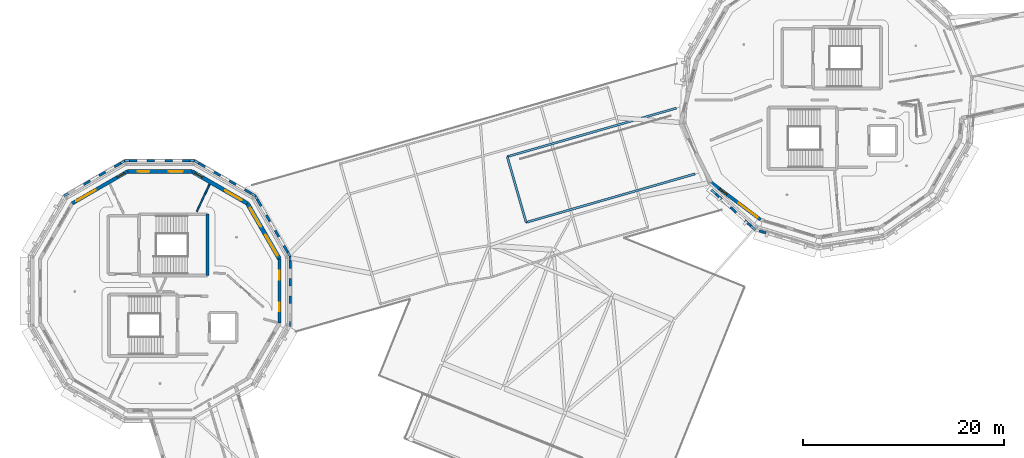
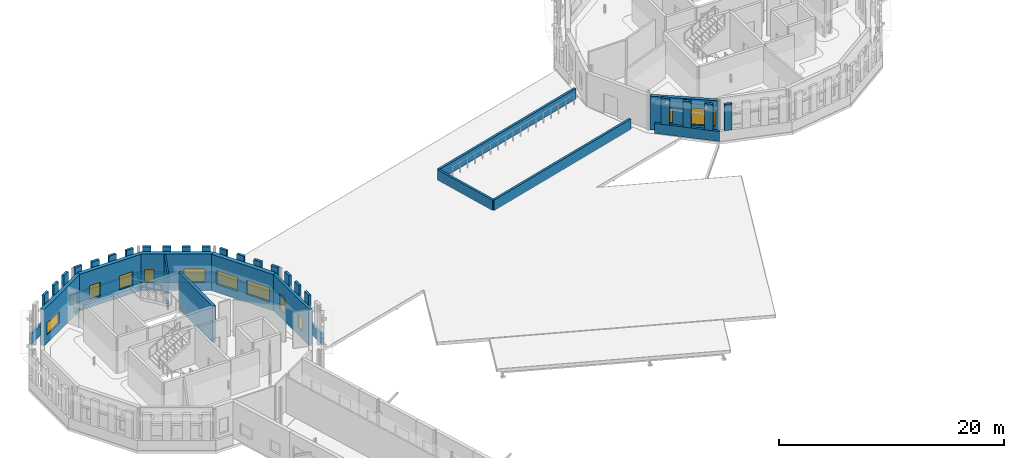
# One storey, part 58 of 90: 39 walls, 12 windows, 12 openings.
"""IFC4 building model written with IfcOpenShell, lengths in metres."""

import ifcopenshell
import ifcopenshell.guid

model = None  # the IFC model being written
_history = None  # IfcOwnerHistory: only IFC2X3 demands one
_inside = {}  # id of a spatial element -> (the spatial element, [elements in it])
_under = {}  # id of a project, library or spatial element -> (it, [spatial elements below it])
_declared = {}  # id of a project -> (the project, [libraries it declares])
_typed = {}  # id of a type object -> (the type object, [elements of that type])
_made_of = {}  # id of a material, layer set ... -> (it, [elements and type objects made of it])


def new_model(schema):
    """Start an empty IFC model of exactly this schema.

    Asked for "IFC4X3", IfcOpenShell would pick the latest addendum, in which some entities
    have other attributes; the version numbers below select the first issue.
    IFC2X3 requires an IfcOwnerHistory on every rooted entity: one is made here for all.
    """
    global model, _history
    if schema == "IFC4X3":
        model = ifcopenshell.file(schema_version=(4, 3, 0, 0))
    else:
        model = ifcopenshell.file(schema=schema)
    _inside.clear()
    _under.clear()
    _declared.clear()
    _typed.clear()
    _made_of.clear()
    _history = None
    if model.schema == "IFC2X3":
        org = make("IfcOrganization", Name="unknown")
        user = make(
            "IfcPersonAndOrganization",
            ThePerson=make("IfcPerson", FamilyName="unknown"),
            TheOrganization=org,
        )
        app = make(
            "IfcApplication",
            ApplicationDeveloper=org,
            Version="unknown",
            ApplicationFullName="unknown",
            ApplicationIdentifier="unknown",
        )
        _history = make(
            "IfcOwnerHistory",
            OwningUser=user,
            OwningApplication=app,
            ChangeAction="ADDED",
            CreationDate=0,
        )
    return model


def make(cls, **values):
    """One entity of the class cls with the attributes given. An attribute that is None is left unset."""
    return model.create_entity(
        cls, **{name: value for name, value in values.items() if value is not None}
    )


def rooted(cls, **values):
    """An entity with a GlobalId (a new one), such as an element, a storey or a relation."""
    return make(cls, GlobalId=ifcopenshell.guid.new(), OwnerHistory=_history, **values)


def si_unit(unit_type, name, prefix=None):
    """IfcSIUnit, for example si_unit("LENGTHUNIT", "METRE", prefix="MILLI")."""
    return make("IfcSIUnit", UnitType=unit_type, Prefix=prefix, Name=name)


def assignment(units):
    """IfcUnitAssignment: the units of a project."""
    return None if units is None else make("IfcUnitAssignment", Units=units)


def point(xyz):
    """IfcCartesianPoint."""
    return None if xyz is None else make("IfcCartesianPoint", Coordinates=xyz)


def direction(xyz):
    """IfcDirection."""
    return None if xyz is None else make("IfcDirection", DirectionRatios=xyz)


def frame(location, z_axis=None, x_axis=None):
    """IfcAxis2Placement3D, a coordinate frame: its origin and axes. An axis left out is left unset."""
    return make(
        "IfcAxis2Placement3D",
        Location=point(location),
        Axis=direction(z_axis),
        RefDirection=direction(x_axis),
    )


def frame_2d(location, x_axis=None):
    """IfcAxis2Placement2D, a coordinate frame in the plane: its origin and x axis."""
    return make(
        "IfcAxis2Placement2D", Location=point(location), RefDirection=direction(x_axis)
    )


def origin():
    """The frame at (0, 0, 0) with its axes left unset."""
    return frame((0.0, 0.0, 0.0))


def place(relative_to, where):
    """IfcLocalPlacement: puts the frame where relative to a parent placement (None: the world)."""
    return make(
        "IfcLocalPlacement", PlacementRelTo=relative_to, RelativePlacement=where
    )


def context(
    kind, dimensions, precision=None, world=None, true_north=None, identifier=None
):
    """IfcGeometricRepresentationContext, for example the 3D "Model" context."""
    return make(
        "IfcGeometricRepresentationContext",
        ContextIdentifier=identifier,
        ContextType=kind,
        CoordinateSpaceDimension=dimensions,
        Precision=precision,
        WorldCoordinateSystem=world,
        TrueNorth=true_north,
    )


def subcontext(parent, identifier, kind, view, scale=None):
    """IfcGeometricRepresentationSubContext, for example "Body" below "Model"."""
    return make(
        "IfcGeometricRepresentationSubContext",
        ContextIdentifier=identifier,
        ContextType=kind,
        ParentContext=parent,
        TargetScale=scale,
        TargetView=view,
    )


def project(units=None, contexts=None):
    """IfcProject with its units and contexts."""
    return rooted(
        "IfcProject",
        Name="project",
        RepresentationContexts=contexts,
        UnitsInContext=assignment(units),
    )


def spatial(cls, under=None, at=None, **own):
    """A site, building, storey or space (cls), placed at a placement, below another one or the project."""
    s = rooted(cls, ObjectPlacement=at, **own)
    if under is not None:
        _under.setdefault(under.id(), (under, []))[1].append(s)
    return s


def profile(cls, at=None, kind="AREA", **sizes):
    """A parametric profile (cls). Its sizes go by their IFC names, for example OverallWidth=200.0."""
    return make(cls, ProfileType=kind, Position=at, **sizes)


def rectangle(**sizes):
    """IfcRectangleProfileDef."""
    return profile("IfcRectangleProfileDef", **sizes)


def extrude(swept, where, along, depth):
    """IfcExtrudedAreaSolid: the profile swept, set in the frame where, extruded along a direction by depth."""
    return make(
        "IfcExtrudedAreaSolid",
        SweptArea=swept,
        Position=where,
        ExtrudedDirection=direction(along),
        Depth=depth,
    )


def shape(context_of_items, identifier, shape_type, items):
    """IfcShapeRepresentation: the items that make up one representation, for example the "Body"."""
    return make(
        "IfcShapeRepresentation",
        ContextOfItems=context_of_items,
        RepresentationIdentifier=identifier,
        RepresentationType=shape_type,
        Items=items,
    )


def material(Name=None, Category=None):
    """IfcMaterial."""
    return make("IfcMaterial", Name=Name, Category=Category)


def layer(
    of_material, thickness, ventilated=None, Name=None, Category=None, Priority=None
):
    """IfcMaterialLayer: one layer of a wall or slab, of a material (None: an air gap)."""
    return make(
        "IfcMaterialLayer",
        Material=of_material,
        LayerThickness=thickness,
        IsVentilated=ventilated,
        Name=Name,
        Category=Category,
        Priority=Priority,
    )


def layer_set(layers, Name=None):
    """IfcMaterialLayerSet."""
    return make("IfcMaterialLayerSet", MaterialLayers=layers, LayerSetName=Name)


def made_of(thing, what):
    """Note that an element or type object is made of a material, layer set ...; save() writes the relation."""
    if what is not None:
        _made_of.setdefault(what.id(), (what, []))[1].append(thing)
    return thing


def type_object(cls, material=None, **own):
    """A type object (cls), such as IfcWallType, which elements share."""
    return made_of(rooted(cls, **own), material)


def element(
    cls,
    number,
    at=None,
    inside=None,
    cuts=None,
    type_object=None,
    material=None,
    context=None,
    identifier="Body",
    shape_type=None,
    held_by="IfcProductDefinitionShape",
    body=None,
    shapes=None,
    **own,
):
    """One element of the class cls, such as IfcWall. Its Tag is "e" and its number.

    at: its placement. inside: the storey or other place that contains it. cuts: it is an
    opening in that element (IfcRelVoidsElement). A single representation is given by context,
    identifier, shape_type and body (its items); several are given by shapes. held_by: the class
    of the entity that holds the representations. save() writes the other relations.
    """
    e = rooted(cls, Tag="e%d" % number, ObjectPlacement=at, **own)
    if body is not None:
        shapes = [shape(context, identifier, shape_type, body)]
    if shapes is not None:
        e.Representation = make(held_by, Representations=shapes)
    if inside is not None:
        _inside.setdefault(inside.id(), (inside, []))[1].append(e)
    if cuts is not None:
        rooted(
            "IfcRelVoidsElement", RelatingBuildingElement=cuts, RelatedOpeningElement=e
        )
    if type_object is not None:
        _typed.setdefault(type_object.id(), (type_object, []))[1].append(e)
    return made_of(e, material)


def fill(opening, filler):
    """IfcRelFillsElement: the door or window that sits in an opening."""
    return rooted(
        "IfcRelFillsElement",
        RelatingOpeningElement=opening,
        RelatedBuildingElement=filler,
    )


def aggregate(whole, parts):
    """IfcRelAggregates: a whole, such as a stair, and the parts it consists of."""
    return rooted("IfcRelAggregates", RelatingObject=whole, RelatedObjects=parts)


def save(model, path):
    """Write the relations noted so far, then the file.

    IfcRelAggregates (storeys below a building ...), IfcRelContainedInSpatialStructure (elements
    in a storey), IfcRelDefinesByType, IfcRelAssociatesMaterial and IfcRelDeclares: one each for
    every whole, place, type object, material and project.
    """
    for whole, parts in _under.values():
        aggregate(whole, parts)
    for where, things in _inside.values():
        rooted(
            "IfcRelContainedInSpatialStructure",
            RelatedElements=things,
            RelatingStructure=where,
        )
    for kind, things in _typed.values():
        rooted("IfcRelDefinesByType", RelatedObjects=things, RelatingType=kind)
    for what, things in _made_of.values():
        rooted("IfcRelAssociatesMaterial", RelatedObjects=things, RelatingMaterial=what)
    for by, libraries in _declared.values():
        rooted("IfcRelDeclares", RelatingContext=by, RelatedDefinitions=libraries)
    model.write(path)


model = new_model("IFC4")

# Units and contexts
model_context = context("Model", 3, precision=1e-05, world=origin(), true_north=direction((0.0, 1.0)))
body_context = subcontext(model_context, "Body", "Model", "MODEL_VIEW")
ifc_project = project(units=[si_unit("LENGTHUNIT", "METRE"), si_unit("AREAUNIT", "SQUARE_METRE"), si_unit("VOLUMEUNIT", "CUBIC_METRE"), si_unit("PLANEANGLEUNIT", "RADIAN"), si_unit("MASSUNIT", "GRAM", prefix="KILO")], contexts=[model_context])

# Site, building, storey
site_placement = place(None, origin())
site = spatial("IfcSite", under=ifc_project, at=site_placement, CompositionType="ELEMENT")
building_placement = place(site_placement, origin())
building = spatial("IfcBuilding", under=site, at=building_placement, Name="Wrenclough Park School", CompositionType="ELEMENT")
storey_placement = place(building_placement, frame((0.0, 0.0, 8.39990234375)))
storey = spatial("IfcBuildingStorey", under=building, at=storey_placement, Name="L02", CompositionType="ELEMENT", Elevation=8.39990234375)

# Walls
ifc_material_1 = material(Name="Perforated open-bond Staffordshire and Manchester brick screen pier", Category="masonry")
ifc_layer_1 = layer(ifc_material_1, 0.2451171875)
ifc_layer_set_1 = layer_set([ifc_layer_1], Name="Perforated open-bond Staffordshire and Manchester brick screen pier")
wall_type_1 = type_object("IfcWallType", Name="ENV-BS-PR245", PredefinedType="ELEMENTEDWALL", material=ifc_layer_set_1)
wall_1_placement = place(storey_placement, frame((29.2255859375, 93.3720703125, 1.090087890625), z_axis=(0.0, 0.0, 1.0), x_axis=(-0.500189527592, 0.865915952323, 0.0)))
element("IfcWall", 1, at=wall_1_placement, inside=storey, type_object=wall_type_1, Name="D3 L02 perforated brick screen pier 0505", PredefinedType="ELEMENTEDWALL", context=body_context, shape_type="SweptSolid", body=[
    extrude(rectangle(XDim=0.739013671875, YDim=0.2451171875, at=frame_2d((0.36962890625, 0.0))), origin(), (0.0, 0.0, 1.0), 2.85009765625),
])
wall_2_placement = place(storey_placement, frame((28.345458984375, 94.896240234375, 1.090087890625), z_axis=(0.0, 0.0, 1.0), x_axis=(-0.499941746681, 0.866059033742, 0.0)))
element("IfcWall", 2, at=wall_2_placement, inside=storey, type_object=wall_type_1, Name="D3 L02 perforated brick screen pier 0506", PredefinedType="ELEMENTEDWALL", context=body_context, shape_type="SweptSolid", body=[
    extrude(rectangle(XDim=0.73876953125, YDim=0.2451171875, at=frame_2d((0.369384765625, 0.0))), origin(), (0.0, 0.0, 1.0), 2.85009765625),
])
for number, where, z_axis, x_axis, name in (
    (3, (27.465576171875, 96.42041015625, 1.090087890625), (0.0, 0.0, 1.0), (-0.500189527592, 0.865915952323, 0.0), "D3 L02 perforated brick screen pier 0507"),
    (4, (26.58544921875, 97.944580078125, 1.090087890625), (0.0, 0.0, 1.0), (-0.499798711192, 0.866141586746, 0.0), "D3 L02 perforated brick screen pier 0508"),
    (5, (25.584716796875, 99.216064453125, 1.090087890625), (0.0, 0.0, 1.0), (-0.866141586746, 0.499798711192, 0.0), "D3 L02 perforated brick screen pier 0509"),
    (6, (24.060302734375, 100.095947265625, 1.090087890625), (0.0, 0.0, 1.0), (-0.865915952323, 0.500189527592, 0.0), "D3 L02 perforated brick screen pier 0510"),
):
    element("IfcWall", number, at=place(storey_placement, frame(where, z_axis=z_axis, x_axis=x_axis)), inside=storey, type_object=wall_type_1, Name=name, PredefinedType="ELEMENTEDWALL", context=body_context, shape_type="SweptSolid", body=[
        extrude(rectangle(XDim=0.739013671875, YDim=0.2451171875, at=frame_2d((0.36962890625, 0.0))), origin(), (0.0, 0.0, 1.0), 2.85009765625),
    ])
wall_3_placement = place(storey_placement, frame((22.5361328125, 100.97607421875, 1.090087890625), z_axis=(0.0, 0.0, 1.0), x_axis=(-0.866059033742, 0.499941746681, 0.0)))
element("IfcWall", 7, at=wall_3_placement, inside=storey, type_object=wall_type_1, Name="D3 L02 perforated brick screen pier 0511", PredefinedType="ELEMENTEDWALL", context=body_context, shape_type="SweptSolid", body=[
    extrude(rectangle(XDim=0.73876953125, YDim=0.2451171875, at=frame_2d((0.369384765625, 0.0))), origin(), (0.0, 0.0, 1.0), 2.85009765625),
])
for number, where, z_axis, x_axis, name in (
    (8, (21.011962890625, 101.85595703125, 1.090087890625), (0.0, 0.0, 1.0), (-0.865915952323, 0.500189527592, 0.0), "D3 L02 perforated brick screen pier 0512"),
    (9, (19.509521484375, 102.45654296875, 1.090087890625), (0.0, 0.0, 1.0), (-1.0, 0.0, 0.0), "D3 L02 perforated brick screen pier 0513"),
    (10, (17.74951171875, 102.45654296875, 1.090087890625), (0.0, 0.0, 1.0), (-1.0, 0.0, 0.0), "D3 L02 perforated brick screen pier 0514"),
    (11, (15.989501953125, 102.45654296875, 1.090087890625), (0.0, 0.0, 1.0), (-1.0, 0.0, 0.0), "D3 L02 perforated brick screen pier 0515"),
    (12, (14.2294921875, 102.45654296875, 1.090087890625), (0.0, 0.0, 1.0), (-1.0, 0.0, 0.0), "D3 L02 perforated brick screen pier 0516"),
    (13, (12.6279296875, 102.2255859375, 1.090087890625), (0.0, 0.0, 1.0), (-0.865915952323, -0.500189527592, 0.0), "D3 L02 perforated brick screen pier 0517"),
):
    element("IfcWall", number, at=place(storey_placement, frame(where, z_axis=z_axis, x_axis=x_axis)), inside=storey, type_object=wall_type_1, Name=name, PredefinedType="ELEMENTEDWALL", context=body_context, shape_type="SweptSolid", body=[
        extrude(rectangle(XDim=0.739013671875, YDim=0.2451171875, at=frame_2d((0.36962890625, 0.0))), origin(), (0.0, 0.0, 1.0), 2.85009765625),
    ])
wall_4_placement = place(storey_placement, frame((11.103759765625, 101.345458984375, 1.090087890625), z_axis=(0.0, 0.0, 1.0), x_axis=(-0.866059033742, -0.499941746681, 0.0)))
element("IfcWall", 14, at=wall_4_placement, inside=storey, type_object=wall_type_1, Name="D3 L02 perforated brick screen pier 0518", PredefinedType="ELEMENTEDWALL", context=body_context, shape_type="SweptSolid", body=[
    extrude(rectangle(XDim=0.73876953125, YDim=0.2451171875, at=frame_2d((0.369384765625, 0.0))), origin(), (0.0, 0.0, 1.0), 2.85009765625),
])
for number, where, z_axis, x_axis, name in (
    (15, (9.57958984375, 100.465576171875, 1.090087890625), (0.0, 0.0, 1.0), (-0.865915952323, -0.500189527592, 0.0), "D3 L02 perforated brick screen pier 0519"),
    (16, (29.45654296875, 88.25048828125, 1.090087890625), (0.0, 0.0, 1.0), (0.0, 1.0, 0.0), "D3 L02 perforated brick screen pier 0542"),
    (17, (29.45654296875, 90.010498046875, 1.090087890625), (0.0, 0.0, 1.0), (0.0, 1.0, 0.0), "D3 L02 perforated brick screen pier 0543"),
    (18, (29.45654296875, 91.7705078125, 1.090087890625), (0.0, 0.0, 1.0), (0.0, 1.0, 0.0), "D3 L02 perforated brick screen pier 0544"),
):
    element("IfcWall", number, at=place(storey_placement, frame(where, z_axis=z_axis, x_axis=x_axis)), inside=storey, type_object=wall_type_1, Name=name, PredefinedType="ELEMENTEDWALL", context=body_context, shape_type="SweptSolid", body=[
        extrude(rectangle(XDim=0.739013671875, YDim=0.2451171875, at=frame_2d((0.36962890625, 0.0))), origin(), (0.0, 0.0, 1.0), 2.85009765625),
    ])
for number, where, z_axis, x_axis, name in (
    (19, (71.809814453125, 99.15966796875, 1.090087890625), (0.0, 0.0, 1.0), (0.738193334464, -0.67458920904, 0.0), "D4 L02 perforated brick screen pier 0567"),
    (20, (73.26123046875, 97.8330078125, 1.090087890625), (0.0, 0.0, 1.0), (0.738193334464, -0.67458920904, 0.0), "D4 L02 perforated brick screen pier 0568"),
):
    element("IfcWall", number, at=place(storey_placement, frame(where, z_axis=z_axis, x_axis=x_axis)), inside=storey, type_object=wall_type_1, Name=name, PredefinedType="ELEMENTEDWALL", context=body_context, shape_type="SweptSolid", body=[
        extrude(rectangle(XDim=0.760009765625, YDim=0.2451171875, at=frame_2d((0.3798828125, 0.0))), origin(), (0.0, 0.0, 1.0), 2.85009765625),
    ])
wall_5_placement = place(storey_placement, frame((74.712646484375, 96.506591796875, 1.090087890625), z_axis=(0.0, 0.0, 1.0), x_axis=(0.738033381673, -0.674764201434, 0.0)))
element("IfcWall", 21, at=wall_5_placement, inside=storey, type_object=wall_type_1, Name="D4 L02 perforated brick screen pier 0569", PredefinedType="ELEMENTEDWALL", context=body_context, shape_type="SweptSolid", body=[
    extrude(rectangle(XDim=0.76025390625, YDim=0.2451171875, at=frame_2d((0.380126953125, 0.0))), origin(), (0.0, 0.0, 1.0), 2.85009765625),
])
wall_6_placement = place(storey_placement, frame((76.11279296875, 95.487060546875, 1.090087890625), z_axis=(0.0, 0.0, 1.0), x_axis=(0.957730379015, -0.287667379297, 0.0)))
element("IfcWall", 22, at=wall_6_placement, inside=storey, type_object=wall_type_1, Name="D4 L02 perforated brick screen pier 0570", PredefinedType="ELEMENTEDWALL", context=body_context, shape_type="SweptSolid", body=[
    extrude(rectangle(XDim=0.700927734375, YDim=0.2451171875, at=frame_2d((0.3505859375, 0.0))), origin(), (0.0, 0.0, 1.0), 2.85009765625),
])
ifc_material_2 = material(Name="Open-bond Manchester multi-stock brick spandrel screen", Category="masonry")
ifc_layer_2 = layer(ifc_material_2, 0.22509765625)
ifc_layer_set_2 = layer_set([ifc_layer_2], Name="Open-bond Manchester multi-stock brick spandrel screen")
wall_type_2 = type_object("IfcWallType", Name="ENV-BS-SP225", PredefinedType="ELEMENTEDWALL", material=ifc_layer_set_2)
for number, where, z_axis, x_axis, name in (
    (23, (29.480712890625, 92.929931640625, 0.0), (0.0, 0.0, 1.0), (-0.500010639957, 0.866019260715, 0.0), "D3 L02 open-bond brick screen spandrel 0137"),
    (24, (26.026611328125, 98.960693359375, 0.0), (0.0, 0.0, 1.0), (-0.866019260715, 0.500010639957, 0.0), "D3 L02 open-bond brick screen spandrel 0138"),
):
    element("IfcWall", number, at=place(storey_placement, frame(where, z_axis=z_axis, x_axis=x_axis)), inside=storey, type_object=wall_type_2, Name=name, PredefinedType="ELEMENTEDWALL", context=body_context, shape_type="SweptSolid", body=[
        extrude(rectangle(XDim=7.039794921875, YDim=0.22509765625, at=frame_2d((3.52001953125, 0.0))), origin(), (0.0, 0.0, 1.0), 1.090087890625),
    ])
wall_7_placement = place(storey_placement, frame((20.02001953125, 102.45654296875, 0.0), z_axis=(0.0, 0.0, 1.0), x_axis=(-1.0, 0.0, 0.0)))
element("IfcWall", 25, at=wall_7_placement, inside=storey, type_object=wall_type_2, Name="D3 L02 open-bond brick screen spandrel 0139", PredefinedType="ELEMENTEDWALL", context=body_context, shape_type="SweptSolid", body=[
    extrude(rectangle(XDim=7.0400390625, YDim=0.22509765625, at=frame_2d((3.52001953125, 0.0))), origin(), (0.0, 0.0, 1.0), 1.090087890625),
])
wall_8_placement = place(storey_placement, frame((13.070068359375, 102.480712890625, 0.0), z_axis=(0.0, 0.0, 1.0), x_axis=(-0.866019260715, -0.500010639957, 0.0)))
element("IfcWall", 26, at=wall_8_placement, inside=storey, type_object=wall_type_2, Name="D3 L02 open-bond brick screen spandrel 0140", PredefinedType="ELEMENTEDWALL", context=body_context, shape_type="SweptSolid", body=[
    extrude(rectangle(XDim=7.039794921875, YDim=0.22509765625, at=frame_2d((3.52001953125, 0.0))), origin(), (0.0, 0.0, 1.0), 1.090087890625),
])
wall_9_placement = place(storey_placement, frame((29.45654296875, 85.97998046875, 0.0), z_axis=(0.0, 0.0, 1.0), x_axis=(0.0, 1.0, 0.0)))
element("IfcWall", 27, at=wall_9_placement, inside=storey, type_object=wall_type_2, Name="D3 L02 open-bond brick screen spandrel 0147", PredefinedType="ELEMENTEDWALL", context=body_context, shape_type="SweptSolid", body=[
    extrude(rectangle(XDim=7.0400390625, YDim=0.22509765625, at=frame_2d((3.52001953125, 0.0))), origin(), (0.0, 0.0, 1.0), 1.090087890625),
])
wall_10_placement = place(storey_placement, frame((71.36474609375, 99.566650390625, 0.0), z_axis=(0.0, 0.0, 1.0), x_axis=(0.738118906404, -0.674670645581, 0.0)))
element("IfcWall", 28, at=wall_10_placement, inside=storey, type_object=wall_type_2, Name="D4 L02 open-bond brick screen spandrel 0154", PredefinedType="ELEMENTEDWALL", context=body_context, shape_type="SweptSolid", body=[
    extrude(rectangle(XDim=5.898681640625, YDim=0.22509765625, at=frame_2d((2.94921875, 0.0))), origin(), (0.0, 0.0, 1.0), 1.090087890625),
])

# Wall, openings, windows
ifc_material_3 = material(Name="Link wing brick-faced cavity wall Concrete C32/40", Category="masonry")
ifc_layer_3 = layer(ifc_material_3, 0.27490234375)
ifc_layer_set_3 = layer_set([ifc_layer_3], Name="Link wing brick-faced cavity wall Concrete C32/40")
wall_type_3 = type_object("IfcWallType", Name="ENV-EW-275", PredefinedType="SOLIDWALL", material=ifc_layer_set_3)
wall_11_placement = place(storey_placement, frame((28.40576171875, 92.690185546875, 0.0), z_axis=(0.0, 0.0, 1.0), x_axis=(0.0, -1.0, 0.0)))
wall_11 = element("IfcWall", 29, at=wall_11_placement, inside=storey, type_object=wall_type_3, Name="L02 insulated brick external wall 0238", PredefinedType="SOLIDWALL", context=body_context, shape_type="SweptSolid", body=[
    extrude(rectangle(XDim=6.38037109375, YDim=0.27490234375, at=frame_2d((3.190185546875, 0.0))), origin(), (0.0, 0.0, 1.0), 3.940185546875),
])
opening_1_placement = place(wall_11_placement, frame((1.14501953125, 0.0, 0.85009765625)))
opening_1 = element("IfcOpeningElement", 30, at=opening_1_placement, cuts=wall_11, Name="Opening WN-13", PredefinedType="OPENING", context=body_context, shape_type="SweptSolid", body=[
    extrude(rectangle(XDim=0.89990234375, YDim=1.60009765625, at=frame_2d((0.449951171875, 0.800048828125))), frame((0.0, 0.1474609375, 0.0), z_axis=(0.0, -1.0, 0.0), x_axis=(1.0, 0.0, 0.0)), (0.0, 0.0, 1.0), 0.294921875),
])
opening_2_placement = place(wall_11_placement, frame((4.3603515625, 0.0, 0.85009765625)))
opening_2 = element("IfcOpeningElement", 31, at=opening_2_placement, cuts=wall_11, Name="Opening WN-01", PredefinedType="OPENING", context=body_context, shape_type="SweptSolid", body=[
    extrude(rectangle(XDim=0.85009765625, YDim=1.39990234375, at=frame_2d((0.425048828125, 0.699951171875))), frame((0.0, 0.1474609375, 0.0), z_axis=(0.0, -1.0, 0.0), x_axis=(1.0, 0.0, 0.0)), (0.0, 0.0, 1.0), 0.294921875),
])
ifc_material_4 = material(Name="Thermally broken aluminium and double-glazed low-e glass", Category="aluminium")
window_type_1 = type_object("IfcWindowType", Name="ENV-WN-01", PartitioningType="SINGLE_PANEL", PredefinedType="WINDOW", material=ifc_material_4)
window_1_placement = place(opening_2_placement, origin())
window_1 = element("IfcWindow", 32, at=window_1_placement, inside=storey, type_object=window_type_1, Name="L02 scheduled facade window 0392", OverallHeight=1.39990234375, OverallWidth=0.85009765625, PartitioningType="SINGLE_PANEL", PredefinedType="WINDOW", context=body_context, shape_type="SweptSolid", body=[
    extrude(rectangle(XDim=0.85009765625, YDim=1.39990234375, at=frame_2d((0.425048828125, 0.699951171875))), frame((0.0, 0.030029296875, 0.0), z_axis=(0.0, -1.0, 0.0), x_axis=(1.0, 0.0, 0.0)), (0.0, 0.0, 1.0), 0.06005859375),
])
fill(opening_2, window_1)
window_type_2 = type_object("IfcWindowType", Name="ENV-WN-13", PartitioningType="SINGLE_PANEL", PredefinedType="WINDOW", material=ifc_material_4)
window_2_placement = place(opening_1_placement, origin())
window_2 = element("IfcWindow", 33, at=window_2_placement, inside=storey, type_object=window_type_2, Name="L02 scheduled facade window 0391", OverallHeight=1.60009765625, OverallWidth=0.89990234375, PartitioningType="SINGLE_PANEL", PredefinedType="WINDOW", context=body_context, shape_type="SweptSolid", body=[
    extrude(rectangle(XDim=0.89990234375, YDim=1.60009765625, at=frame_2d((0.449951171875, 0.800048828125))), frame((0.0, 0.030029296875, 0.0), z_axis=(0.0, -1.0, 0.0), x_axis=(1.0, 0.0, 0.0)), (0.0, 0.0, 1.0), 0.06005859375),
])
fill(opening_1, window_2)

ifc_material_5 = material(Name="Manchester multi-stock brick and Concrete C32/40 inner leaf", Category="masonry")
ifc_layer_4 = layer(ifc_material_5, 0.324951171875)
ifc_layer_set_4 = layer_set([ifc_layer_4], Name="Manchester multi-stock brick and Concrete C32/40 inner leaf")
wall_type_4 = type_object("IfcWallType", Name="ENV-EW-325", PredefinedType="SOLIDWALL", material=ifc_layer_set_4)
wall_12_placement = place(storey_placement, frame((76.25048828125, 96.6044921875, 0.0), z_axis=(0.0, 0.0, 1.0), x_axis=(-0.799381925895, 0.600823215723, 0.0)))
wall_12 = element("IfcWall", 34, at=wall_12_placement, inside=storey, type_object=wall_type_4, Name="L02 insulated brick external wall 0161", PredefinedType="SOLIDWALL", context=body_context, shape_type="SweptSolid", body=[
    extrude(rectangle(XDim=6.166259765625, YDim=0.324951171875, at=frame_2d((3.0830078125, 0.0))), origin(), (0.0, 0.0, 1.0), 3.64208984375),
])
opening_3_placement = place(wall_12_placement, frame((0.366455078125, 0.0, 0.85009765625)))
opening_3 = element("IfcOpeningElement", 35, at=opening_3_placement, cuts=wall_12, Name="Opening WN-34", PredefinedType="OPENING", context=body_context, shape_type="SweptSolid", body=[
    extrude(rectangle(XDim=2.35009765625, YDim=1.800048828125, at=frame_2d((1.175048828125, 0.89990234375))), frame((0.0, 0.17236328125, 0.0), z_axis=(0.0, -1.0, 0.0), x_axis=(1.0, 0.0, 0.0)), (0.0, 0.0, 1.0), 0.344970703125),
])
opening_4_placement = place(wall_12_placement, frame((4.174560546875, 0.0, 0.85009765625)))
opening_4 = element("IfcOpeningElement", 36, at=opening_4_placement, cuts=wall_12, Name="Opening WN-13", PredefinedType="OPENING", context=body_context, shape_type="SweptSolid", body=[
    extrude(rectangle(XDim=0.89990234375, YDim=1.60009765625, at=frame_2d((0.449951171875, 0.800048828125))), frame((0.0, 0.17236328125, 0.0), z_axis=(0.0, -1.0, 0.0), x_axis=(1.0, 0.0, 0.0)), (0.0, 0.0, 1.0), 0.344970703125),
])
window_3_placement = place(opening_4_placement, origin())
window_3 = element("IfcWindow", 37, at=window_3_placement, inside=storey, type_object=window_type_2, Name="L02 scheduled facade window 0258", OverallHeight=1.60009765625, OverallWidth=0.89990234375, PartitioningType="SINGLE_PANEL", PredefinedType="WINDOW", context=body_context, shape_type="SweptSolid", body=[
    extrude(rectangle(XDim=0.89990234375, YDim=1.60009765625, at=frame_2d((0.449951171875, 0.800048828125))), frame((0.0, 0.030029296875, 0.0), z_axis=(0.0, -1.0, 0.0), x_axis=(1.0, 0.0, 0.0)), (0.0, 0.0, 1.0), 0.06005859375),
])
fill(opening_4, window_3)
window_type_3 = type_object("IfcWindowType", Name="ENV-WN-34", PartitioningType="DOUBLE_PANEL_VERTICAL", PredefinedType="WINDOW", material=ifc_material_4)
window_4_placement = place(opening_3_placement, origin())
window_4 = element("IfcWindow", 38, at=window_4_placement, inside=storey, type_object=window_type_3, Name="L02 scheduled facade window 0257", OverallHeight=1.800048828125, OverallWidth=2.35009765625, PartitioningType="SINGLE_PANEL", PredefinedType="WINDOW", context=body_context, shape_type="SweptSolid", body=[
    extrude(rectangle(XDim=2.35009765625, YDim=1.800048828125, at=frame_2d((1.175048828125, 0.89990234375))), frame((0.0, 0.030029296875, 0.0), z_axis=(0.0, -1.0, 0.0), x_axis=(1.0, 0.0, 0.0)), (0.0, 0.0, 1.0), 0.06005859375),
])
fill(opening_3, window_4)

ifc_material_6 = material(Name="Staffordshire blue-grey brick and Concrete C35/45 inner leaf", Category="masonry")
ifc_layer_5 = layer(ifc_material_6, 0.35009765625)
ifc_layer_set_5 = layer_set([ifc_layer_5], Name="Staffordshire blue-grey brick and Concrete C35/45 inner leaf")
wall_type_5 = type_object("IfcWallType", Name="ENV-EW-350", PredefinedType="SOLIDWALL", material=ifc_layer_set_5)
wall_13_placement = place(storey_placement, frame((7.7841796875, 98.2158203125, 0.0), z_axis=(0.0, 0.0, 1.0), x_axis=(0.866044766488, 0.499966461314, 0.0)))
wall_13 = element("IfcWall", 39, at=wall_13_placement, inside=storey, type_object=wall_type_5, Name="L02 insulated brick external wall 0234", PredefinedType="SOLIDWALL", context=body_context, shape_type="SweptSolid", body=[
    extrude(rectangle(XDim=6.38037109375, YDim=0.35009765625, at=frame_2d((3.190185546875, 0.0))), origin(), (0.0, 0.0, 1.0), 3.940185546875),
])
opening_5_placement = place(wall_13_placement, frame((0.47021484375, 0.0, 0.85009765625)))
opening_5 = element("IfcOpeningElement", 40, at=opening_5_placement, cuts=wall_13, Name="Opening WN-48", PredefinedType="OPENING", context=body_context, shape_type="SweptSolid", body=[
    extrude(rectangle(XDim=2.25, YDim=1.300048828125, at=frame_2d((1.125, 0.64990234375))), frame((0.0, 0.18505859375, 0.0), z_axis=(0.0, -1.0, 0.0), x_axis=(1.0, 0.0, 0.0)), (0.0, 0.0, 1.0), 0.3701171875),
])
opening_6_placement = place(wall_13_placement, frame((5.180419921875, 0.0, 0.85009765625)))
opening_6 = element("IfcOpeningElement", 41, at=opening_6_placement, cuts=wall_13, Name="Opening WN-01", PredefinedType="OPENING", context=body_context, shape_type="SweptSolid", body=[
    extrude(rectangle(XDim=0.85009765625, YDim=1.39990234375, at=frame_2d((0.425048828125, 0.699951171875))), frame((0.0, 0.18505859375, 0.0), z_axis=(0.0, -1.0, 0.0), x_axis=(1.0, 0.0, 0.0)), (0.0, 0.0, 1.0), 0.3701171875),
])
window_5_placement = place(opening_6_placement, origin())
window_5 = element("IfcWindow", 42, at=window_5_placement, inside=storey, type_object=window_type_1, Name="L02 scheduled facade window 0384", OverallHeight=1.39990234375, OverallWidth=0.85009765625, PartitioningType="SINGLE_PANEL", PredefinedType="WINDOW", context=body_context, shape_type="SweptSolid", body=[
    extrude(rectangle(XDim=0.85009765625, YDim=1.39990234375, at=frame_2d((0.425048828125, 0.699951171875))), frame((0.0, 0.030029296875, 0.0), z_axis=(0.0, -1.0, 0.0), x_axis=(1.0, 0.0, 0.0)), (0.0, 0.0, 1.0), 0.06005859375),
])
fill(opening_6, window_5)
window_type_4 = type_object("IfcWindowType", Name="ENV-WN-48", PartitioningType="DOUBLE_PANEL_VERTICAL", PredefinedType="WINDOW", material=ifc_material_4)
window_6_placement = place(opening_5_placement, origin())
window_6 = element("IfcWindow", 43, at=window_6_placement, inside=storey, type_object=window_type_4, Name="L02 scheduled facade window 0383", OverallHeight=1.300048828125, OverallWidth=2.25, PartitioningType="SINGLE_PANEL", PredefinedType="WINDOW", context=body_context, shape_type="SweptSolid", body=[
    extrude(rectangle(XDim=2.25, YDim=1.300048828125, at=frame_2d((1.125, 0.64990234375))), frame((0.0, 0.030029296875, 0.0), z_axis=(0.0, -1.0, 0.0), x_axis=(1.0, 0.0, 0.0)), (0.0, 0.0, 1.0), 0.06005859375),
])
fill(opening_5, window_6)

ifc_material_7 = material(Name="Manchester multi-stock brick and Concrete C35/45 inner leaf", Category="masonry")
ifc_layer_6 = layer(ifc_material_7, 0.3798828125)
ifc_layer_set_6 = layer_set([ifc_layer_6], Name="Manchester multi-stock brick and Concrete C35/45 inner leaf")
wall_type_6 = type_object("IfcWallType", Name="ENV-EW-380", PredefinedType="SOLIDWALL", material=ifc_layer_set_6)
wall_14_placement = place(storey_placement, frame((13.309814453125, 101.40576171875, 0.0), z_axis=(0.0, 0.0, 1.0), x_axis=(1.0, 0.0, 0.0)))
wall_14 = element("IfcWall", 44, at=wall_14_placement, inside=storey, type_object=wall_type_6, Name="L02 insulated brick external wall 0235", PredefinedType="SOLIDWALL", context=body_context, shape_type="SweptSolid", body=[
    extrude(rectangle(XDim=6.38037109375, YDim=0.3798828125, at=frame_2d((3.190185546875, 0.0))), origin(), (0.0, 0.0, 1.0), 3.940185546875),
])
opening_7_placement = place(wall_14_placement, frame((1.02001953125, 0.0, 0.85009765625)))
opening_7 = element("IfcOpeningElement", 45, at=opening_7_placement, cuts=wall_14, Name="Opening WN-50", PredefinedType="OPENING", context=body_context, shape_type="SweptSolid", body=[
    extrude(rectangle(XDim=1.14990234375, YDim=1.5, at=frame_2d((0.574951171875, 0.75))), frame((0.0, 0.199951171875, 0.0), z_axis=(0.0, -1.0, 0.0), x_axis=(1.0, 0.0, 0.0)), (0.0, 0.0, 1.0), 0.39990234375),
])
opening_8_placement = place(wall_14_placement, frame((4.085205078125, 0.0, 0.85009765625)))
opening_8 = element("IfcOpeningElement", 46, at=opening_8_placement, cuts=wall_14, Name="Opening WN-51", PredefinedType="OPENING", context=body_context, shape_type="SweptSolid", body=[
    extrude(rectangle(XDim=1.39990234375, YDim=1.5, at=frame_2d((0.699951171875, 0.75))), frame((0.0, 0.199951171875, 0.0), z_axis=(0.0, -1.0, 0.0), x_axis=(1.0, 0.0, 0.0)), (0.0, 0.0, 1.0), 0.39990234375),
])
window_type_5 = type_object("IfcWindowType", Name="ENV-WN-50", PartitioningType="SINGLE_PANEL", PredefinedType="WINDOW", material=ifc_material_4)
window_7_placement = place(opening_7_placement, origin())
window_7 = element("IfcWindow", 47, at=window_7_placement, inside=storey, type_object=window_type_5, Name="L02 scheduled facade window 0385", OverallHeight=1.5, OverallWidth=1.14990234375, PartitioningType="SINGLE_PANEL", PredefinedType="WINDOW", context=body_context, shape_type="SweptSolid", body=[
    extrude(rectangle(XDim=1.14990234375, YDim=1.5, at=frame_2d((0.574951171875, 0.75))), frame((0.0, 0.030029296875, 0.0), z_axis=(0.0, -1.0, 0.0), x_axis=(1.0, 0.0, 0.0)), (0.0, 0.0, 1.0), 0.06005859375),
])
fill(opening_7, window_7)
window_type_6 = type_object("IfcWindowType", Name="ENV-WN-51", PartitioningType="SINGLE_PANEL", PredefinedType="WINDOW", material=ifc_material_4)
window_8_placement = place(opening_8_placement, origin())
window_8 = element("IfcWindow", 48, at=window_8_placement, inside=storey, type_object=window_type_6, Name="L02 scheduled facade window 0386", OverallHeight=1.5, OverallWidth=1.39990234375, PartitioningType="SINGLE_PANEL", PredefinedType="WINDOW", context=body_context, shape_type="SweptSolid", body=[
    extrude(rectangle(XDim=1.39990234375, YDim=1.5, at=frame_2d((0.699951171875, 0.75))), frame((0.0, 0.030029296875, 0.0), z_axis=(0.0, -1.0, 0.0), x_axis=(1.0, 0.0, 0.0)), (0.0, 0.0, 1.0), 0.06005859375),
])
fill(opening_8, window_8)

ifc_material_8 = material(Name="Staffordshire blue-grey brick and Concrete C40/50 acoustic leaf", Category="masonry")
ifc_layer_7 = layer(ifc_material_8, 0.39990234375)
ifc_layer_set_7 = layer_set([ifc_layer_7], Name="Staffordshire blue-grey brick and Concrete C40/50 acoustic leaf")
wall_type_7 = type_object("IfcWallType", Name="ENV-EW-400", PredefinedType="SOLIDWALL", material=ifc_layer_set_7)
wall_15_placement = place(storey_placement, frame((19.690185546875, 101.40576171875, 0.0), z_axis=(0.0, 0.0, 1.0), x_axis=(0.866044766488, -0.499966461314, 0.0)))
wall_15 = element("IfcWall", 49, at=wall_15_placement, inside=storey, type_object=wall_type_7, Name="L02 insulated brick external wall 0236", PredefinedType="SOLIDWALL", context=body_context, shape_type="SweptSolid", body=[
    extrude(rectangle(XDim=6.38037109375, YDim=0.39990234375, at=frame_2d((3.190185546875, 0.0))), origin(), (0.0, 0.0, 1.0), 3.940185546875),
])
opening_9_placement = place(wall_15_placement, frame((0.35009765625, 0.0, 0.85009765625)))
opening_9 = element("IfcOpeningElement", 50, at=opening_9_placement, cuts=wall_15, Name="Opening WN-01", PredefinedType="OPENING", context=body_context, shape_type="SweptSolid", body=[
    extrude(rectangle(XDim=0.85009765625, YDim=1.39990234375, at=frame_2d((0.425048828125, 0.699951171875))), frame((0.0, 0.2099609375, 0.0), z_axis=(0.0, -1.0, 0.0), x_axis=(1.0, 0.0, 0.0)), (0.0, 0.0, 1.0), 0.419921875),
])
opening_10_placement = place(wall_15_placement, frame((3.835205078125, 0.0, 0.85009765625)))
opening_10 = element("IfcOpeningElement", 51, at=opening_10_placement, cuts=wall_15, Name="Opening WN-53", PredefinedType="OPENING", context=body_context, shape_type="SweptSolid", body=[
    extrude(rectangle(XDim=1.89990234375, YDim=1.5, at=frame_2d((0.949951171875, 0.75))), frame((0.0, 0.2099609375, 0.0), z_axis=(0.0, -1.0, 0.0), x_axis=(1.0, 0.0, 0.0)), (0.0, 0.0, 1.0), 0.419921875),
])
window_9_placement = place(opening_9_placement, origin())
window_9 = element("IfcWindow", 52, at=window_9_placement, inside=storey, type_object=window_type_1, Name="L02 scheduled facade window 0387", OverallHeight=1.39990234375, OverallWidth=0.85009765625, PartitioningType="SINGLE_PANEL", PredefinedType="WINDOW", context=body_context, shape_type="SweptSolid", body=[
    extrude(rectangle(XDim=0.85009765625, YDim=1.39990234375, at=frame_2d((0.425048828125, 0.699951171875))), frame((0.0, 0.030029296875, 0.0), z_axis=(0.0, -1.0, 0.0), x_axis=(1.0, 0.0, 0.0)), (0.0, 0.0, 1.0), 0.06005859375),
])
fill(opening_9, window_9)
window_type_7 = type_object("IfcWindowType", Name="ENV-WN-53", PartitioningType="DOUBLE_PANEL_VERTICAL", PredefinedType="WINDOW", material=ifc_material_4)
window_10_placement = place(opening_10_placement, origin())
window_10 = element("IfcWindow", 53, at=window_10_placement, inside=storey, type_object=window_type_7, Name="L02 scheduled facade window 0388", OverallHeight=1.5, OverallWidth=1.89990234375, PartitioningType="SINGLE_PANEL", PredefinedType="WINDOW", context=body_context, shape_type="SweptSolid", body=[
    extrude(rectangle(XDim=1.89990234375, YDim=1.5, at=frame_2d((0.949951171875, 0.75))), frame((0.0, 0.030029296875, 0.0), z_axis=(0.0, -1.0, 0.0), x_axis=(1.0, 0.0, 0.0)), (0.0, 0.0, 1.0), 0.06005859375),
])
fill(opening_10, window_10)

ifc_material_9 = material(Name="Insulated brick-clad sports hall wall Concrete C40/50", Category="masonry")
ifc_layer_8 = layer(ifc_material_9, 0.425048828125)
ifc_layer_set_8 = layer_set([ifc_layer_8], Name="Insulated brick-clad sports hall wall Concrete C40/50")
wall_type_8 = type_object("IfcWallType", Name="ENV-EW-425", PredefinedType="SOLIDWALL", material=ifc_layer_set_8)
wall_16_placement = place(storey_placement, frame((25.2158203125, 98.2158203125, 0.0), z_axis=(0.0, 0.0, 1.0), x_axis=(0.499966461314, -0.866044766488, 0.0)))
wall_16 = element("IfcWall", 54, at=wall_16_placement, inside=storey, type_object=wall_type_8, Name="L02 insulated brick external wall 0237", PredefinedType="SOLIDWALL", context=body_context, shape_type="SweptSolid", body=[
    extrude(rectangle(XDim=6.38037109375, YDim=0.425048828125, at=frame_2d((3.190185546875, 0.0))), origin(), (0.0, 0.0, 1.0), 3.940185546875),
])
opening_11_placement = place(wall_16_placement, frame((0.52001953125, 0.0, 0.85009765625)))
opening_11 = element("IfcOpeningElement", 55, at=opening_11_placement, cuts=wall_16, Name="Opening WN-54", PredefinedType="OPENING", context=body_context, shape_type="SweptSolid", body=[
    extrude(rectangle(XDim=2.14990234375, YDim=1.5, at=frame_2d((1.074951171875, 0.75))), frame((0.0, 0.222412109375, 0.0), z_axis=(0.0, -1.0, 0.0), x_axis=(1.0, 0.0, 0.0)), (0.0, 0.0, 1.0), 0.445068359375),
])
opening_12_placement = place(wall_16_placement, frame((3.610107421875, 0.0, 0.85009765625)))
opening_12 = element("IfcOpeningElement", 56, at=opening_12_placement, cuts=wall_16, Name="Opening WN-55", PredefinedType="OPENING", context=body_context, shape_type="SweptSolid", body=[
    extrude(rectangle(XDim=2.35009765625, YDim=1.5, at=frame_2d((1.175048828125, 0.75))), frame((0.0, 0.222412109375, 0.0), z_axis=(0.0, -1.0, 0.0), x_axis=(1.0, 0.0, 0.0)), (0.0, 0.0, 1.0), 0.445068359375),
])
window_type_8 = type_object("IfcWindowType", Name="ENV-WN-54", PartitioningType="DOUBLE_PANEL_VERTICAL", PredefinedType="WINDOW", material=ifc_material_4)
window_11_placement = place(opening_11_placement, origin())
window_11 = element("IfcWindow", 57, at=window_11_placement, inside=storey, type_object=window_type_8, Name="L02 scheduled facade window 0389", OverallHeight=1.5, OverallWidth=2.14990234375, PartitioningType="SINGLE_PANEL", PredefinedType="WINDOW", context=body_context, shape_type="SweptSolid", body=[
    extrude(rectangle(XDim=2.14990234375, YDim=1.5, at=frame_2d((1.074951171875, 0.75))), frame((0.0, 0.030029296875, 0.0), z_axis=(0.0, -1.0, 0.0), x_axis=(1.0, 0.0, 0.0)), (0.0, 0.0, 1.0), 0.06005859375),
])
fill(opening_11, window_11)
window_type_9 = type_object("IfcWindowType", Name="ENV-WN-55", PartitioningType="DOUBLE_PANEL_VERTICAL", PredefinedType="WINDOW", material=ifc_material_4)
window_12_placement = place(opening_12_placement, origin())
window_12 = element("IfcWindow", 58, at=window_12_placement, inside=storey, type_object=window_type_9, Name="L02 scheduled facade window 0390", OverallHeight=1.5, OverallWidth=2.35009765625, PartitioningType="SINGLE_PANEL", PredefinedType="WINDOW", context=body_context, shape_type="SweptSolid", body=[
    extrude(rectangle(XDim=2.35009765625, YDim=1.5, at=frame_2d((1.175048828125, 0.75))), frame((0.0, 0.030029296875, 0.0), z_axis=(0.0, -1.0, 0.0), x_axis=(1.0, 0.0, 0.0)), (0.0, 0.0, 1.0), 0.06005859375),
])
fill(opening_12, window_12)

# Walls
ifc_material_10 = material(Name="Capped Staffordshire blue-grey brick parapet", Category="masonry")
ifc_layer_9 = layer(ifc_material_10, 0.215087890625)
ifc_layer_set_9 = layer_set([ifc_layer_9], Name="Capped Staffordshire blue-grey brick parapet")
wall_type_9 = type_object("IfcWallType", Name="ENV-PW-215", PredefinedType="PARAPET", material=ifc_layer_set_9)
wall_17_placement = place(storey_placement, frame((52.938232421875, 96.33203125, 0.0), z_axis=(0.0, 0.0, 1.0), x_axis=(0.961171570916, 0.275951465411, 0.0)))
element("IfcWall", 59, at=wall_17_placement, inside=storey, type_object=wall_type_9, Name="Play deck PD-3 dividing parapet wall 007", PredefinedType="PARAPET", context=body_context, shape_type="SweptSolid", body=[
    extrude(rectangle(XDim=17.477783203125, YDim=0.215087890625, at=frame_2d((8.73876953125, 0.0))), origin(), (0.0, 0.0, 1.0), 1.150146484375),
])
wall_18_placement = place(storey_placement, frame((67.867431640625, 107.69287109375, 0.0), z_axis=(0.0, 0.0, 1.0), x_axis=(-0.961170651226, -0.275954668781, 0.0)))
element("IfcWall", 60, at=wall_18_placement, inside=storey, type_object=wall_type_9, Name="Play deck PD-3 dividing parapet wall 008", PredefinedType="PARAPET", context=body_context, shape_type="SweptSolid", body=[
    extrude(rectangle(XDim=17.484619140625, YDim=0.215087890625, at=frame_2d((8.7421875, 0.0))), origin(), (0.0, 0.0, 1.0), 1.150146484375),
])
wall_19_placement = place(storey_placement, frame((51.061767578125, 102.867919921875, 0.0), z_axis=(0.0, 0.0, 1.0), x_axis=(0.275953812514, -0.961170897062, 0.0)))
element("IfcWall", 61, at=wall_19_placement, inside=storey, type_object=wall_type_9, Name="Play deck PD-3 dividing parapet wall 009", PredefinedType="PARAPET", context=body_context, shape_type="SweptSolid", body=[
    extrude(rectangle(XDim=6.7998046875, YDim=0.215087890625, at=frame_2d((3.39990234375, 0.0))), origin(), (0.0, 0.0, 1.0), 1.150146484375),
])
ifc_material_11 = material(Name="Concrete C40/50", Category="concrete")
ifc_layer_10 = layer(ifc_material_11, 0.2900390625)
ifc_layer_set_10 = layer_set([ifc_layer_10], Name="Concrete C40/50")
wall_type_10 = type_object("IfcWallType", Name="INT-CW-290", PredefinedType="SHEAR", material=ifc_layer_set_10)
wall_20_placement = place(storey_placement, frame((21.2451171875, 91.054931640625, 0.0), z_axis=(0.0, 0.0, 1.0), x_axis=(0.0, 1.0, 0.0)))
element("IfcWall", 62, at=wall_20_placement, inside=storey, type_object=wall_type_10, Name="Core C3B L02 east shear wall", PredefinedType="SHEAR", context=body_context, shape_type="SweptSolid", body=[
    extrude(rectangle(XDim=6.090087890625, YDim=0.2900390625, at=frame_2d((3.044921875, 0.0))), origin(), (0.0, 0.0, 1.0), 3.9501953125),
])
ifc_material_12 = material(Name="Protected corridor partition", Category="gypsum")
ifc_layer_11 = layer(ifc_material_12, 0.14990234375)
ifc_layer_set_11 = layer_set([ifc_layer_11], Name="Protected corridor partition")
wall_type_11 = type_object("IfcWallType", Name="INT-PW-150", PredefinedType="PARTITIONING", material=ifc_layer_set_11)
wall_21_placement = place(storey_placement, frame((21.455322265625, 100.126953125, 0.0), z_axis=(0.0, 0.0, 1.0), x_axis=(-0.422560563191, -0.906334690076, 0.0)))
element("IfcWall", 63, at=wall_21_placement, inside=storey, type_object=wall_type_11, Name="L02 internal partition 0376", PredefinedType="PARTITIONING", context=body_context, shape_type="SweptSolid", body=[
    extrude(rectangle(XDim=3.003173828125, YDim=0.14990234375, at=frame_2d((1.50146484375, 0.0))), origin(), (0.0, 0.0, 1.0), 3.93017578125),
])

save(model, "model.ifc")
